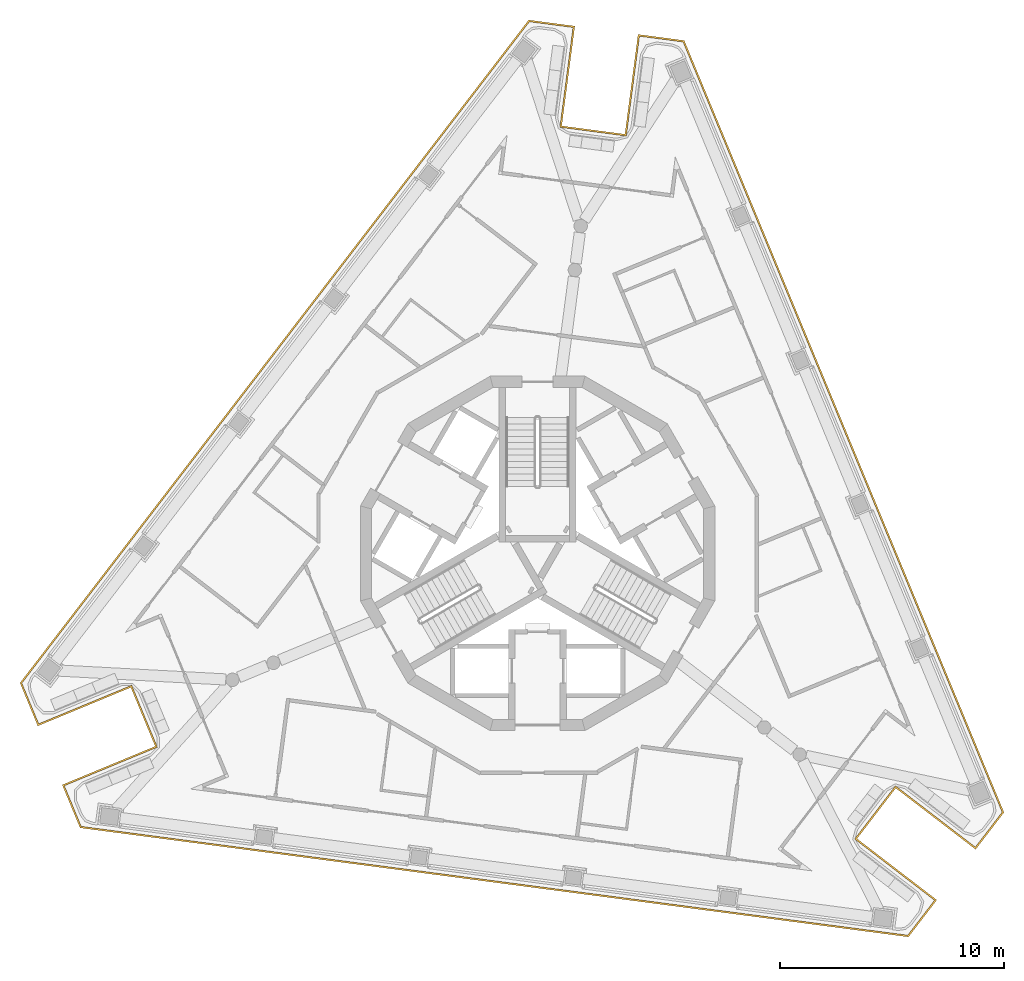
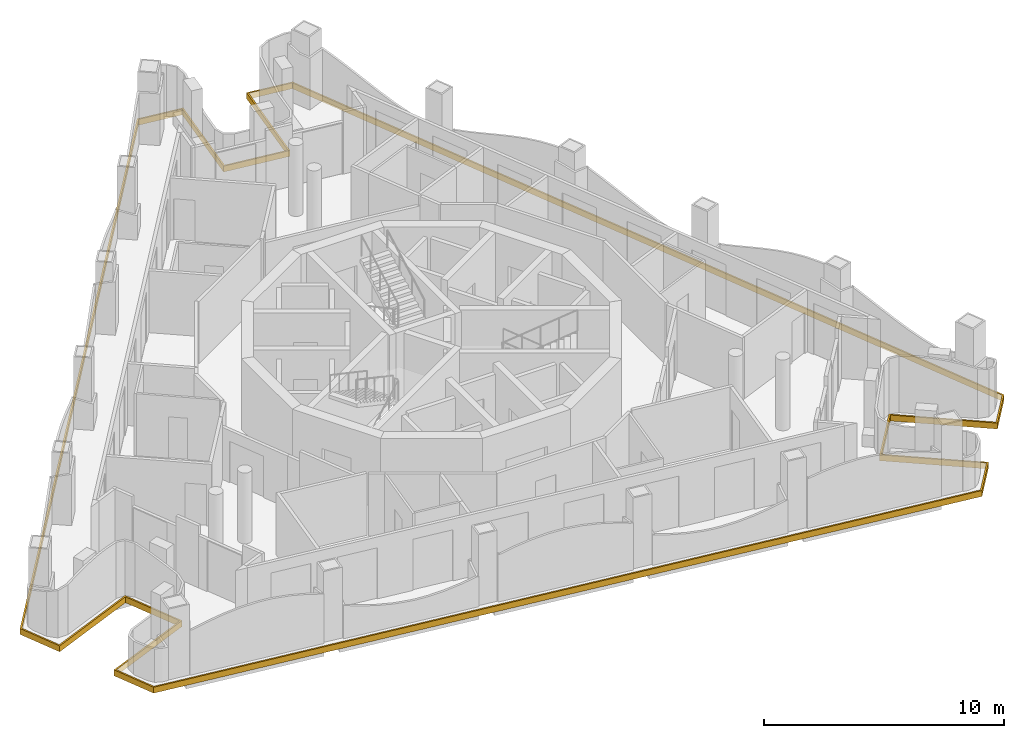
# One storey, part 9 of 12: 1 covering.
"""IFC4 building model written with IfcOpenShell, lengths in metres."""

from ifc_helpers import new_model, si_unit, direction, frame, origin, place, context, subcontext, project, spatial, polyline, outline, extrude, material, layer, layer_set, type_object, element, save


model = new_model("IFC4")

# Units and contexts
model_context = context("Model", 3, precision=1e-05, world=origin(), true_north=direction((0.0, 1.0)))
body_context = subcontext(model_context, "Body", "Model", "MODEL_VIEW")
ifc_project = project(units=[si_unit("LENGTHUNIT", "METRE"), si_unit("AREAUNIT", "SQUARE_METRE"), si_unit("VOLUMEUNIT", "CUBIC_METRE"), si_unit("PLANEANGLEUNIT", "RADIAN"), si_unit("MASSUNIT", "GRAM", prefix="KILO")], contexts=[model_context])

# Site, building, storey
site_placement = place(None, origin())
site = spatial("IfcSite", under=ifc_project, at=site_placement, CompositionType="ELEMENT")
building_placement = place(site_placement, origin())
building = spatial("IfcBuilding", under=site, at=building_placement, Name="Trine Commons Tower", CompositionType="ELEMENT")
storey_placement = place(building_placement, frame((0.0, 0.0, 297.0)))
storey = spatial("IfcBuildingStorey", under=building, at=storey_placement, Name="L78", CompositionType="ELEMENT", Elevation=297.0)

# Covering
ifc_material = material(Name="Limestone, honed", Category="masonry")
ifc_layer = layer(ifc_material, 0.074951171875)
ifc_layer_set = layer_set([ifc_layer], Name="Limestone, honed")
covering_type = type_object("IfcCoveringType", Name="Limestone spandrel panel 75", PredefinedType="CLADDING", material=ifc_layer_set)
covering_placement = place(storey_placement, frame((0.0, 0.0, -0.300048828125)))
element("IfcCovering", 1, at=covering_placement, inside=storey, type_object=covering_type, Name="Limestone spandrel panel 8-01", PredefinedType="CLADDING", context=body_context, shape_type="SweptSolid", body=[
    extrude(outline(polyline([(96.011962890625, 52.009765625), (99.58203125, 49.2705078125), (100.849609375, 50.92236328125), (86.556396484375, 85.429443359375), (84.49169921875, 85.701416015625), (83.904296875, 81.23974609375), (81.078857421875, 81.61181640625), (81.666259765625, 86.0732421875), (79.6015625, 86.34521484375), (56.8642578125, 56.713134765625), (57.6611328125, 54.789306640625), (61.818603515625, 56.511474609375), (62.9091796875, 53.87841796875), (58.751708984375, 52.15625), (59.548583984375, 50.232421875), (96.579345703125, 45.357177734375), (97.846923828125, 47.00927734375), (94.277099609375, 49.748779296875), (96.011962890625, 52.009765625)]), holes=[polyline([(84.556396484375, 85.6171875), (86.503662109375, 85.36083984375), (100.763916015625, 50.933837890625), (99.568115234375, 49.37548828125), (95.998046875, 52.114990234375), (94.171875, 49.73486328125), (97.741943359375, 46.99560546875), (96.546142578125, 45.437255859375), (59.601318359375, 50.301025390625), (58.849853515625, 52.11572265625), (63.007080078125, 53.837890625), (61.859130859375, 56.609375), (57.70166015625, 54.88720703125), (56.9501953125, 56.701904296875), (79.634765625, 86.26513671875), (81.58203125, 86.0087890625), (80.99462890625, 81.54736328125), (83.968994140625, 81.15576171875), (84.556396484375, 85.6171875)])]), origin(), (0.0, 0.0, 1.0), 0.300048828125),
])

save(model, "model.ifc")
